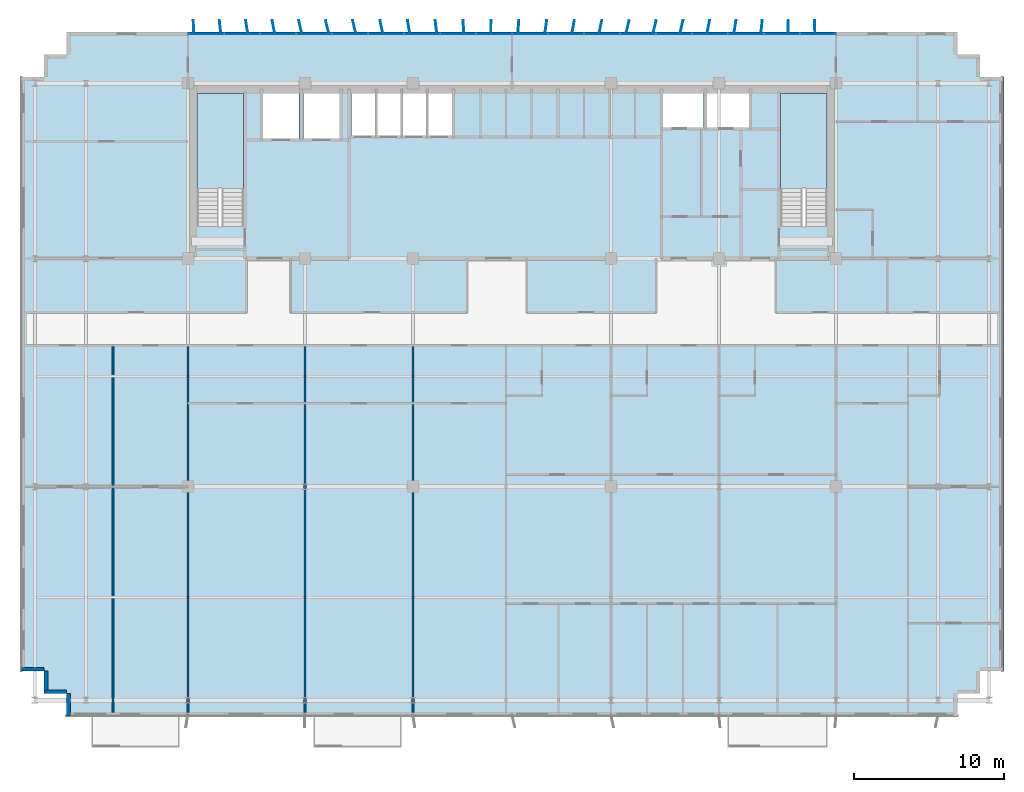
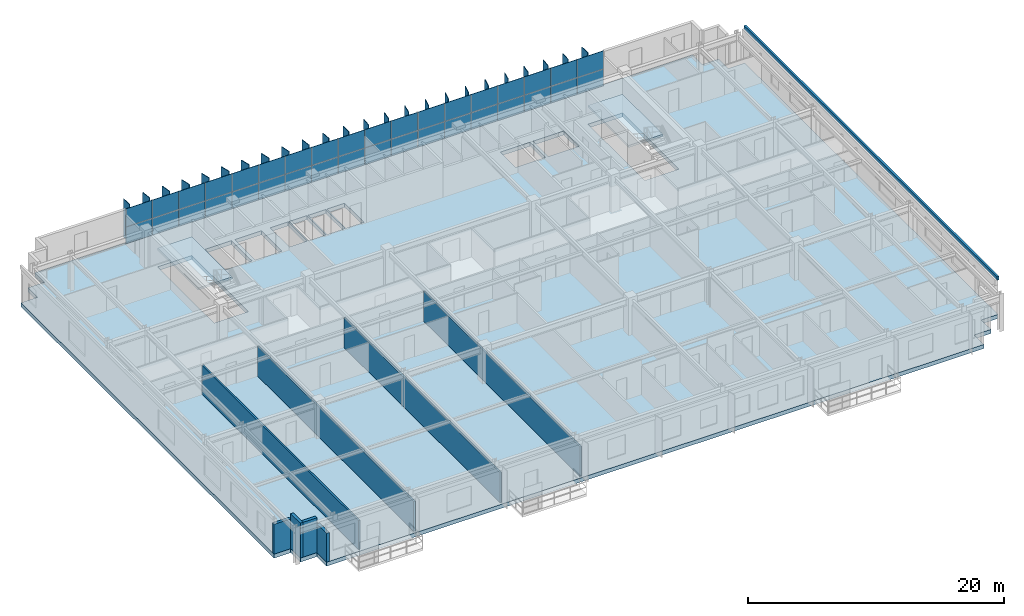
# One storey, part 13 of 22: 61 plates, 8 walls, 3 slabs, 3 elements without a shape of their own.
"""IFC4 building model written with IfcOpenShell, lengths in metres."""

import ifcopenshell
import ifcopenshell.guid

model = None  # the IFC model being written
_history = None  # IfcOwnerHistory: only IFC2X3 demands one
_inside = {}  # id of a spatial element -> (the spatial element, [elements in it])
_under = {}  # id of a project, library or spatial element -> (it, [spatial elements below it])
_declared = {}  # id of a project -> (the project, [libraries it declares])
_typed = {}  # id of a type object -> (the type object, [elements of that type])
_made_of = {}  # id of a material, layer set ... -> (it, [elements and type objects made of it])


def new_model(schema):
    """Start an empty IFC model of exactly this schema.

    Asked for "IFC4X3", IfcOpenShell would pick the latest addendum, in which some entities
    have other attributes; the version numbers below select the first issue.
    IFC2X3 requires an IfcOwnerHistory on every rooted entity: one is made here for all.
    """
    global model, _history
    if schema == "IFC4X3":
        model = ifcopenshell.file(schema_version=(4, 3, 0, 0))
    else:
        model = ifcopenshell.file(schema=schema)
    _inside.clear()
    _under.clear()
    _declared.clear()
    _typed.clear()
    _made_of.clear()
    _history = None
    if model.schema == "IFC2X3":
        org = make("IfcOrganization", Name="unknown")
        user = make(
            "IfcPersonAndOrganization",
            ThePerson=make("IfcPerson", FamilyName="unknown"),
            TheOrganization=org,
        )
        app = make(
            "IfcApplication",
            ApplicationDeveloper=org,
            Version="unknown",
            ApplicationFullName="unknown",
            ApplicationIdentifier="unknown",
        )
        _history = make(
            "IfcOwnerHistory",
            OwningUser=user,
            OwningApplication=app,
            ChangeAction="ADDED",
            CreationDate=0,
        )
    return model


def make(cls, **values):
    """One entity of the class cls with the attributes given. An attribute that is None is left unset."""
    return model.create_entity(
        cls, **{name: value for name, value in values.items() if value is not None}
    )


def rooted(cls, **values):
    """An entity with a GlobalId (a new one), such as an element, a storey or a relation."""
    return make(cls, GlobalId=ifcopenshell.guid.new(), OwnerHistory=_history, **values)


def si_unit(unit_type, name, prefix=None):
    """IfcSIUnit, for example si_unit("LENGTHUNIT", "METRE", prefix="MILLI")."""
    return make("IfcSIUnit", UnitType=unit_type, Prefix=prefix, Name=name)


def assignment(units):
    """IfcUnitAssignment: the units of a project."""
    return None if units is None else make("IfcUnitAssignment", Units=units)


def point(xyz):
    """IfcCartesianPoint."""
    return None if xyz is None else make("IfcCartesianPoint", Coordinates=xyz)


def direction(xyz):
    """IfcDirection."""
    return None if xyz is None else make("IfcDirection", DirectionRatios=xyz)


def frame(location, z_axis=None, x_axis=None):
    """IfcAxis2Placement3D, a coordinate frame: its origin and axes. An axis left out is left unset."""
    return make(
        "IfcAxis2Placement3D",
        Location=point(location),
        Axis=direction(z_axis),
        RefDirection=direction(x_axis),
    )


def frame_2d(location, x_axis=None):
    """IfcAxis2Placement2D, a coordinate frame in the plane: its origin and x axis."""
    return make(
        "IfcAxis2Placement2D", Location=point(location), RefDirection=direction(x_axis)
    )


def origin():
    """The frame at (0, 0, 0) with its axes left unset."""
    return frame((0.0, 0.0, 0.0))


def origin_2d():
    """The frame at (0, 0) in the plane with its x axis left unset."""
    return frame_2d((0.0, 0.0))


def place(relative_to, where):
    """IfcLocalPlacement: puts the frame where relative to a parent placement (None: the world)."""
    return make(
        "IfcLocalPlacement", PlacementRelTo=relative_to, RelativePlacement=where
    )


def context(
    kind, dimensions, precision=None, world=None, true_north=None, identifier=None
):
    """IfcGeometricRepresentationContext, for example the 3D "Model" context."""
    return make(
        "IfcGeometricRepresentationContext",
        ContextIdentifier=identifier,
        ContextType=kind,
        CoordinateSpaceDimension=dimensions,
        Precision=precision,
        WorldCoordinateSystem=world,
        TrueNorth=true_north,
    )


def subcontext(parent, identifier, kind, view, scale=None):
    """IfcGeometricRepresentationSubContext, for example "Body" below "Model"."""
    return make(
        "IfcGeometricRepresentationSubContext",
        ContextIdentifier=identifier,
        ContextType=kind,
        ParentContext=parent,
        TargetScale=scale,
        TargetView=view,
    )


def project(units=None, contexts=None):
    """IfcProject with its units and contexts."""
    return rooted(
        "IfcProject",
        Name="project",
        RepresentationContexts=contexts,
        UnitsInContext=assignment(units),
    )


def spatial(cls, under=None, at=None, **own):
    """A site, building, storey or space (cls), placed at a placement, below another one or the project."""
    s = rooted(cls, ObjectPlacement=at, **own)
    if under is not None:
        _under.setdefault(under.id(), (under, []))[1].append(s)
    return s


def polyline(points):
    """IfcPolyline through the points."""
    return make("IfcPolyline", Points=[point(p) for p in points])


def profile(cls, at=None, kind="AREA", **sizes):
    """A parametric profile (cls). Its sizes go by their IFC names, for example OverallWidth=200.0."""
    return make(cls, ProfileType=kind, Position=at, **sizes)


def rectangle(**sizes):
    """IfcRectangleProfileDef."""
    return profile("IfcRectangleProfileDef", **sizes)


def outline(outer, holes=None, kind="AREA"):
    """IfcArbitraryClosedProfileDef: a profile drawn as a closed curve; with holes, ...WithVoids."""
    if holes is None:
        return make("IfcArbitraryClosedProfileDef", ProfileType=kind, OuterCurve=outer)
    return make(
        "IfcArbitraryProfileDefWithVoids",
        ProfileType=kind,
        OuterCurve=outer,
        InnerCurves=holes,
    )


def extrude(swept, where, along, depth):
    """IfcExtrudedAreaSolid: the profile swept, set in the frame where, extruded along a direction by depth."""
    return make(
        "IfcExtrudedAreaSolid",
        SweptArea=swept,
        Position=where,
        ExtrudedDirection=direction(along),
        Depth=depth,
    )


def shape(context_of_items, identifier, shape_type, items):
    """IfcShapeRepresentation: the items that make up one representation, for example the "Body"."""
    return make(
        "IfcShapeRepresentation",
        ContextOfItems=context_of_items,
        RepresentationIdentifier=identifier,
        RepresentationType=shape_type,
        Items=items,
    )


def source(mapping_origin, context_of_items, identifier, shape_type, items):
    """IfcRepresentationMap: a shape defined once, which mapped items show again and again."""
    return make(
        "IfcRepresentationMap",
        MappingOrigin=mapping_origin,
        MappedRepresentation=shape(context_of_items, identifier, shape_type, items),
    )


def transform(
    local_origin,
    x_axis=None,
    y_axis=None,
    z_axis=None,
    scale=None,
    scale2=None,
    scale3=None,
    uniform=True,
):
    """IfcCartesianTransformationOperator3D, or its non-uniform kind. x_axis, y_axis, z_axis: its Axis1, 2, 3."""
    if uniform:
        return make(
            "IfcCartesianTransformationOperator3D",
            Axis1=direction(x_axis),
            Axis2=direction(y_axis),
            LocalOrigin=point(local_origin),
            Scale=scale,
            Axis3=direction(z_axis),
        )
    return make(
        "IfcCartesianTransformationOperator3DnonUniform",
        Axis1=direction(x_axis),
        Axis2=direction(y_axis),
        LocalOrigin=point(local_origin),
        Scale=scale,
        Axis3=direction(z_axis),
        Scale2=scale2,
        Scale3=scale3,
    )


def mapped(mapping_source, mapping_target):
    """IfcMappedItem: shows the shape of a source again, moved by a transform."""
    return make(
        "IfcMappedItem", MappingSource=mapping_source, MappingTarget=mapping_target
    )


def material(Name=None, Category=None):
    """IfcMaterial."""
    return make("IfcMaterial", Name=Name, Category=Category)


def layer(
    of_material, thickness, ventilated=None, Name=None, Category=None, Priority=None
):
    """IfcMaterialLayer: one layer of a wall or slab, of a material (None: an air gap)."""
    return make(
        "IfcMaterialLayer",
        Material=of_material,
        LayerThickness=thickness,
        IsVentilated=ventilated,
        Name=Name,
        Category=Category,
        Priority=Priority,
    )


def layer_set(layers, Name=None):
    """IfcMaterialLayerSet."""
    return make("IfcMaterialLayerSet", MaterialLayers=layers, LayerSetName=Name)


def made_of(thing, what):
    """Note that an element or type object is made of a material, layer set ...; save() writes the relation."""
    if what is not None:
        _made_of.setdefault(what.id(), (what, []))[1].append(thing)
    return thing


def type_object(cls, material=None, **own):
    """A type object (cls), such as IfcWallType, which elements share."""
    return made_of(rooted(cls, **own), material)


def element(
    cls,
    number,
    at=None,
    inside=None,
    cuts=None,
    type_object=None,
    material=None,
    context=None,
    identifier="Body",
    shape_type=None,
    held_by="IfcProductDefinitionShape",
    body=None,
    shapes=None,
    **own,
):
    """One element of the class cls, such as IfcWall. Its Tag is "e" and its number.

    at: its placement. inside: the storey or other place that contains it. cuts: it is an
    opening in that element (IfcRelVoidsElement). A single representation is given by context,
    identifier, shape_type and body (its items); several are given by shapes. held_by: the class
    of the entity that holds the representations. save() writes the other relations.
    """
    e = rooted(cls, Tag="e%d" % number, ObjectPlacement=at, **own)
    if body is not None:
        shapes = [shape(context, identifier, shape_type, body)]
    if shapes is not None:
        e.Representation = make(held_by, Representations=shapes)
    if inside is not None:
        _inside.setdefault(inside.id(), (inside, []))[1].append(e)
    if cuts is not None:
        rooted(
            "IfcRelVoidsElement", RelatingBuildingElement=cuts, RelatedOpeningElement=e
        )
    if type_object is not None:
        _typed.setdefault(type_object.id(), (type_object, []))[1].append(e)
    return made_of(e, material)


def aggregate(whole, parts):
    """IfcRelAggregates: a whole, such as a stair, and the parts it consists of."""
    return rooted("IfcRelAggregates", RelatingObject=whole, RelatedObjects=parts)


def save(model, path):
    """Write the relations noted so far, then the file.

    IfcRelAggregates (storeys below a building ...), IfcRelContainedInSpatialStructure (elements
    in a storey), IfcRelDefinesByType, IfcRelAssociatesMaterial and IfcRelDeclares: one each for
    every whole, place, type object, material and project.
    """
    for whole, parts in _under.values():
        aggregate(whole, parts)
    for where, things in _inside.values():
        rooted(
            "IfcRelContainedInSpatialStructure",
            RelatedElements=things,
            RelatingStructure=where,
        )
    for kind, things in _typed.values():
        rooted("IfcRelDefinesByType", RelatedObjects=things, RelatingType=kind)
    for what, things in _made_of.values():
        rooted("IfcRelAssociatesMaterial", RelatedObjects=things, RelatingMaterial=what)
    for by, libraries in _declared.values():
        rooted("IfcRelDeclares", RelatingContext=by, RelatedDefinitions=libraries)
    model.write(path)


model = new_model("IFC4")

# Units and contexts
model_context = context("Model", 3, precision=1e-05, world=origin(), true_north=direction((0.0, 1.0)))
body_context = subcontext(model_context, "Body", "Model", "MODEL_VIEW")
ifc_project = project(units=[si_unit("LENGTHUNIT", "METRE"), si_unit("AREAUNIT", "SQUARE_METRE"), si_unit("VOLUMEUNIT", "CUBIC_METRE"), si_unit("PLANEANGLEUNIT", "RADIAN"), si_unit("MASSUNIT", "GRAM", prefix="KILO")], contexts=[model_context])

# Site, building, storey
site_placement = place(None, origin())
site = spatial("IfcSite", under=ifc_project, at=site_placement, CompositionType="ELEMENT")
building_placement = place(site_placement, origin())
building = spatial("IfcBuilding", under=site, at=building_placement, Name="Trelvane Seafront Commons", CompositionType="ELEMENT")
storey_placement = place(building_placement, frame((0.0, 0.0, 81.699951171875)))
storey = spatial("IfcBuildingStorey", under=building, at=storey_placement, Name="L20", CompositionType="ELEMENT", Elevation=81.699951171875)

# Stair, slab
ifc_material_1 = material(Name="Concrete C40/50", Category="concrete")
stair_type_1 = type_object("IfcStairType", Name="ARCH-STR-ST-1-R20-180", PredefinedType="HALF_TURN_STAIR", material=ifc_material_1)
stair_1_placement = place(storey_placement, origin())
stair_1 = element("IfcStair", 1, at=stair_1_placement, inside=storey, type_object=stair_type_1, Name="L20 West Protected Firefighting Exit Stair ST-1", PredefinedType="HALF_TURN_STAIR")
ifc_layer_1 = layer(ifc_material_1, 0.199951171875, Name="ARCH-LND-200")
ifc_layer_set_1 = layer_set([ifc_layer_1], Name="Concrete C40/50")
slab_type_1 = type_object("IfcSlabType", Name="ARCH-LND-200", PredefinedType="LANDING", material=ifc_layer_set_1)
slab_1_placement = place(storey_placement, frame((0.0, 0.0, 1.60009765625)))
slab_1 = element("IfcSlab", 2, at=slab_1_placement, type_object=slab_type_1, Name="ST-1 landing 1", PredefinedType="LANDING", context=body_context, shape_type="SweptSolid", body=[
    extrude(outline(polyline([(19.300048828125, 38.070068359375), (19.300048828125, 44.39990234375), (16.199951171875, 44.39990234375), (16.199951171875, 38.070068359375), (19.300048828125, 38.070068359375)])), origin(), (0.0, 0.0, 1.0), 0.199951171875),
])
aggregate(stair_1, [slab_1])

stair_type_2 = type_object("IfcStairType", Name="ARCH-STR-ST-2-R20-180", PredefinedType="HALF_TURN_STAIR", material=ifc_material_1)
stair_2_placement = place(storey_placement, origin())
stair_2 = element("IfcStair", 3, at=stair_2_placement, inside=storey, type_object=stair_type_2, Name="L20 East Protected Firefighting Exit Stair ST-2", PredefinedType="HALF_TURN_STAIR")
slab_2_placement = place(storey_placement, frame((0.0, 0.0, 1.60009765625)))
slab_2 = element("IfcSlab", 4, at=slab_2_placement, type_object=slab_type_1, Name="ST-2 landing 1", PredefinedType="LANDING", context=body_context, shape_type="SweptSolid", body=[
    extrude(outline(polyline([(58.199951171875, 38.070068359375), (58.199951171875, 44.39990234375), (55.10009765625, 44.39990234375), (55.10009765625, 38.070068359375), (58.199951171875, 38.070068359375)])), origin(), (0.0, 0.0, 1.0), 0.199951171875),
])
aggregate(stair_2, [slab_2])

# Slab
ifc_material_2 = material(Name="Concrete C60/75", Category="concrete")
ifc_layer_2 = layer(ifc_material_2, 0.3798828125, Name="STR-SLB-T380")
ifc_layer_set_2 = layer_set([ifc_layer_2], Name="Concrete C60/75")
slab_type_2 = type_object("IfcSlabType", Name="STR-SLB-T380", PredefinedType="FLOOR", material=ifc_layer_set_2)
slab_3_placement = place(storey_placement, frame((0.0, 0.0, -0.3798828125)))
element("IfcSlab", 5, at=slab_3_placement, inside=storey, type_object=slab_type_2, Name="L20 Structural Floor Slab", PredefinedType="FLOOR", context=body_context, shape_type="SweptSolid", body=[
    extrude(outline(polyline([(7.5, 2.89990234375), (66.89990234375, 2.89990234375), (66.89990234375, 4.39990234375), (68.39990234375, 4.39990234375), (68.39990234375, 5.89990234375), (69.89990234375, 5.89990234375), (69.89990234375, 45.5), (68.39990234375, 45.5), (68.39990234375, 47.0), (66.89990234375, 47.0), (66.89990234375, 48.5), (7.5, 48.5), (7.5, 47.0), (6.0, 47.0), (6.0, 45.5), (4.5, 45.5), (4.5, 5.89990234375), (6.0, 5.89990234375), (6.0, 4.39990234375), (7.5, 4.39990234375), (7.5, 2.89990234375)]), holes=[polyline([(19.300048828125, 35.550048828125), (16.199951171875, 35.550048828125), (16.199951171875, 44.39990234375), (19.300048828125, 44.39990234375), (19.300048828125, 35.550048828125)]), polyline([(58.199951171875, 35.550048828125), (55.10009765625, 35.550048828125), (55.10009765625, 44.39990234375), (58.199951171875, 44.39990234375), (58.199951171875, 35.550048828125)]), polyline([(23.0, 41.39990234375), (20.60009765625, 41.39990234375), (20.60009765625, 44.60009765625), (23.0, 44.60009765625), (23.0, 41.39990234375)]), polyline([(23.300048828125, 41.39990234375), (23.300048828125, 44.60009765625), (25.699951171875, 44.60009765625), (25.699951171875, 41.39990234375), (23.300048828125, 41.39990234375)]), polyline([(26.5, 41.60009765625), (26.5, 44.60009765625), (28.1201171875, 44.60009765625), (28.1201171875, 41.60009765625), (26.5, 41.60009765625)]), polyline([(29.820068359375, 41.60009765625), (28.199951171875, 41.60009765625), (28.199951171875, 44.60009765625), (29.820068359375, 44.60009765625), (29.820068359375, 41.60009765625)]), polyline([(31.52001953125, 41.60009765625), (29.89990234375, 41.60009765625), (29.89990234375, 44.60009765625), (31.52001953125, 44.60009765625), (31.52001953125, 41.60009765625)]), polyline([(33.219970703125, 41.60009765625), (31.60009765625, 41.60009765625), (31.60009765625, 44.60009765625), (33.219970703125, 44.60009765625), (33.219970703125, 41.60009765625)]), polyline([(47.25, 42.14990234375), (47.25, 44.550048828125), (49.949951171875, 44.550048828125), (49.949951171875, 42.14990234375), (47.25, 42.14990234375)]), polyline([(50.199951171875, 42.14990234375), (50.199951171875, 44.550048828125), (53.0, 44.550048828125), (53.0, 42.14990234375), (50.199951171875, 42.14990234375)])]), origin(), (0.0, 0.0, 1.0), 0.3798828125),
])

# Plates
ifc_material_3 = material(Name="Anodised pale-silver aluminium", Category="aluminium")
ifc_layer_3 = layer(ifc_material_3, 0.06005859375, Name="ARCH-PLATE-FIN900")
ifc_layer_set_3 = layer_set([ifc_layer_3], Name="Anodised pale-silver aluminium")
plate_type_1 = type_object("IfcPlateType", Name="ARCH-PLATE-FIN900", PredefinedType="USERDEFINED", material=ifc_layer_set_3)
shared_shape_1 = source(origin(), body_context, "Body", "SweptSolid", [
    extrude(rectangle(XDim=0.89990234375, YDim=0.06005859375, at=origin_2d()), origin(), (0.0, 0.0, 1.0), 3.639892578125),
])
for number, where, z_axis, x_axis, name in (
    (6, (15.982666015625, 48.849609375, -0.02001953125), (0.0, 0.0, 1.0), (-0.038556980688, 0.999256403152, 0.0), "FIN-L20-00455"),
    (7, (17.754150390625, 48.84765625, -0.02001953125), (0.0, 0.0, 1.0), (-0.102000850047, 0.994784311592, 0.0), "FIN-L20-00456"),
    (8, (19.529052734375, 48.84423828125, -0.02001953125), (0.0, 0.0, 1.0), (-0.157673783475, 0.987491254647, 0.0), "FIN-L20-00457"),
    (9, (21.309326171875, 48.8408203125, -0.02001953125), (0.0, 0.0, 1.0), (-0.201219822587, 0.979546110705, 0.0), "FIN-L20-00458"),
    (10, (23.0966796875, 48.837890625, -0.02001953125), (0.0, 0.0, 1.0), (-0.229888374859, 0.973217003091, 0.0), "FIN-L20-00459"),
    (11, (24.89111328125, 48.836669921875, -0.02001953125), (0.0, 0.0, 1.0), (-0.24167294527, 0.970357762645, 0.0), "FIN-L20-00460"),
    (12, (26.69384765625, 48.83740234375, -0.02001953125), (0.0, 0.0, 1.0), (-0.235890152234, 0.97177972611, 0.0), "FIN-L20-00461"),
    (13, (28.504150390625, 48.839599609375, -0.02001953125), (0.0, 0.0, 1.0), (-0.212776294407, 0.977100940813, 0.0), "FIN-L20-00462"),
    (14, (30.32177734375, 48.843017578125, -0.02001953125), (0.0, 0.0, 1.0), (-0.173993648544, 0.984746774692, 0.0), "FIN-L20-00463"),
    (15, (32.14501953125, 48.8466796875, -0.02001953125), (0.0, 0.0, 1.0), (-0.122106667736, 0.992516983076, 0.0), "FIN-L20-00464"),
    (16, (33.97265625, 48.84912109375, -0.02001953125), (0.0, 0.0, 1.0), (-0.060780257958, 0.998151171037, 0.0), "FIN-L20-00465"),
    (17, (35.802490234375, 48.85009765625, -0.02001953125), (0.0, 0.0, 1.0), (0.005333700905, 0.999985775716, 0.0), "FIN-L20-00466"),
    (18, (37.632080078125, 48.848876953125, -0.02001953125), (0.0, 0.0, 1.0), (0.071003030598, 0.997476099787, 0.0), "FIN-L20-00467"),
    (19, (39.458984375, 48.84619140625, -0.02001953125), (0.0, 0.0, 1.0), (0.13111623469, 0.991367002175, 0.0), "FIN-L20-00468"),
    (20, (41.281494140625, 48.842529296875, -0.02001953125), (0.0, 0.0, 1.0), (0.181221211526, 0.983442358501, 0.0), "FIN-L20-00469"),
    (21, (43.097900390625, 48.839111328125, -0.02001953125), (0.0, 0.0, 1.0), (0.217565785879, 0.976045659185, 0.0), "FIN-L20-00470"),
    (22, (44.906982421875, 48.8369140625, -0.02001953125), (0.0, 0.0, 1.0), (0.238009683654, 0.971262781376, 0.0), "FIN-L20-00471"),
    (23, (46.70849609375, 48.836669921875, -0.02001953125), (0.0, 0.0, 1.0), (0.240992061138, 0.970527086932, 0.0), "FIN-L20-00472"),
    (24, (48.501953125, 48.83837890625, -0.02001953125), (0.0, 0.0, 1.0), (0.226449013409, 0.974023020429, 0.0), "FIN-L20-00473"),
    (25, (50.287841796875, 48.84130859375, -0.02001953125), (0.0, 0.0, 1.0), (0.195218704837, 0.980759734737, 0.0), "FIN-L20-00474"),
    (26, (52.0673828125, 48.844970703125, -0.02001953125), (0.0, 0.0, 1.0), (0.149443880416, 0.988770209202, 0.0), "FIN-L20-00475"),
    (27, (53.841552734375, 48.84814453125, -0.02001953125), (0.0, 0.0, 1.0), (0.092328878547, 0.995728566521, 0.0), "FIN-L20-00476"),
    (28, (55.612548828125, 48.849853515625, -0.02001953125), (0.0, 0.0, 1.0), (0.028001892477, 0.999607870126, 0.0), "FIN-L20-00477"),
    (29, (57.382568359375, 48.849609375, -0.02001953125), (0.0, 0.0, 1.0), (-0.038556980688, 0.999256403152, 0.0), "FIN-L20-00478"),
):
    element("IfcPlate", number, at=place(storey_placement, frame(where, z_axis=z_axis, x_axis=x_axis)), inside=storey, type_object=plate_type_1, Name=name, ObjectType="FIN", PredefinedType="USERDEFINED", context=body_context, shape_type="MappedRepresentation", body=[
        mapped(shared_shape_1, transform((0.0, 0.0, 0.0), x_axis=(1.0, 0.0, 0.0), y_axis=(0.0, 1.0, 0.0), z_axis=(0.0, 0.0, 1.0), scale=1.0)),
    ])
ifc_layer_4 = layer(ifc_material_3, 0.179931640625, Name="ARCH-PLATE-AERO")
ifc_layer_set_4 = layer_set([ifc_layer_4], Name="Anodised pale-silver aluminium")
plate_type_2 = type_object("IfcPlateType", Name="ARCH-PLATE-AERO", PredefinedType="SHEET", material=ifc_layer_set_4)
shared_shape_2 = source(origin(), body_context, "Body", "SweptSolid", [
    extrude(rectangle(XDim=39.60009765625, YDim=0.179931640625, at=origin_2d()), origin(), (0.0, 0.0, 1.0), 0.340087890625),
])
plate_1_placement = place(storey_placement, frame((69.89990234375, 25.699951171875, 3.27978515625), z_axis=(0.0, 0.0, 1.0), x_axis=(0.0, -1.0, 0.0)))
element("IfcPlate", 30, at=plate_1_placement, inside=storey, type_object=plate_type_2, Name="AER-L20-00070", PredefinedType="SHEET", context=body_context, shape_type="MappedRepresentation", body=[
    mapped(shared_shape_2, transform((0.0, 0.0, 0.0), x_axis=(1.0, 0.0, 0.0), y_axis=(0.0, 1.0, 0.0), z_axis=(0.0, 0.0, 1.0), scale=1.0)),
])

# Curtain wall, plates
curtain_wall_type = type_object("IfcCurtainWallType", Name="ARCH-CW4-SKYLOBBY", PredefinedType="NOTDEFINED", material=ifc_material_3)
curtain_wall_placement = place(storey_placement, origin())
curtain_wall = element("IfcCurtainWall", 31, at=curtain_wall_placement, inside=storey, type_object=curtain_wall_type, Name="CW-L20-0045", PredefinedType="NOTDEFINED")
ifc_material_4 = material(Name="Low-E coastal double glazing", Category="glass")
ifc_layer_5 = layer(ifc_material_4, 0.033935546875, Name="ARCH-CW-GLAZ-34")
ifc_layer_set_5 = layer_set([ifc_layer_5], Name="Low-E coastal double glazing")
plate_type_3 = type_object("IfcPlateType", Name="ARCH-CW-GLAZ-34", PredefinedType="CURTAIN_PANEL", material=ifc_layer_set_5)
shared_shape_3 = source(origin(), body_context, "Body", "SweptSolid", [
    extrude(rectangle(XDim=2.3759765625, YDim=0.0400390625, at=origin_2d()), origin(), (0.0, 0.0, 1.0), 1.5849609375),
])
plate_2_placement = place(storey_placement, frame((16.800048828125, 48.3701171875, 0.0), z_axis=(0.0, 0.0, 1.0), x_axis=(1.0, 0.0, 0.0)))
plate_2 = element("IfcPlate", 32, at=plate_2_placement, type_object=plate_type_3, Name="CW-L20-0045-P00-1", PredefinedType="CURTAIN_PANEL", context=body_context, shape_type="MappedRepresentation", body=[
    mapped(shared_shape_3, transform((0.0, 0.0, 0.0), x_axis=(1.0, 0.0, 0.0), y_axis=(0.0, 1.0, 0.0), z_axis=(0.0, 0.0, 1.0), scale=1.0)),
])
plate_3_placement = place(storey_placement, frame((19.199951171875, 48.3701171875, 0.0), z_axis=(0.0, 0.0, 1.0), x_axis=(1.0, 0.0, 0.0)))
plate_3 = element("IfcPlate", 33, at=plate_3_placement, type_object=plate_type_3, Name="CW-L20-0045-P01-1", PredefinedType="CURTAIN_PANEL", context=body_context, shape_type="MappedRepresentation", body=[
    mapped(shared_shape_3, transform((0.0, 0.0, 0.0), x_axis=(1.0, 0.0, 0.0), y_axis=(0.0, 1.0, 0.0), z_axis=(0.0, 0.0, 1.0), scale=1.0)),
])
plate_4_placement = place(storey_placement, frame((21.60009765625, 48.3701171875, 0.0), z_axis=(0.0, 0.0, 1.0), x_axis=(1.0, 0.0, 0.0)))
plate_4 = element("IfcPlate", 34, at=plate_4_placement, type_object=plate_type_3, Name="CW-L20-0045-P02-1", PredefinedType="CURTAIN_PANEL", context=body_context, shape_type="MappedRepresentation", body=[
    mapped(shared_shape_3, transform((0.0, 0.0, 0.0), x_axis=(1.0, 0.0, 0.0), y_axis=(0.0, 1.0, 0.0), z_axis=(0.0, 0.0, 1.0), scale=1.0)),
])
plate_5_placement = place(storey_placement, frame((24.0, 48.3701171875, 0.0), z_axis=(0.0, 0.0, 1.0), x_axis=(1.0, 0.0, 0.0)))
plate_5 = element("IfcPlate", 35, at=plate_5_placement, type_object=plate_type_3, Name="CW-L20-0045-P03-1", PredefinedType="CURTAIN_PANEL", context=body_context, shape_type="MappedRepresentation", body=[
    mapped(shared_shape_3, transform((0.0, 0.0, 0.0), x_axis=(1.0, 0.0, 0.0), y_axis=(0.0, 1.0, 0.0), z_axis=(0.0, 0.0, 1.0), scale=1.0)),
])
plate_6_placement = place(storey_placement, frame((26.39990234375, 48.3701171875, 0.0), z_axis=(0.0, 0.0, 1.0), x_axis=(1.0, 0.0, 0.0)))
plate_6 = element("IfcPlate", 36, at=plate_6_placement, type_object=plate_type_3, Name="CW-L20-0045-P04-1", PredefinedType="CURTAIN_PANEL", context=body_context, shape_type="MappedRepresentation", body=[
    mapped(shared_shape_3, transform((0.0, 0.0, 0.0), x_axis=(1.0, 0.0, 0.0), y_axis=(0.0, 1.0, 0.0), z_axis=(0.0, 0.0, 1.0), scale=1.0)),
])
plate_7_placement = place(storey_placement, frame((28.800048828125, 48.3701171875, 0.0), z_axis=(0.0, 0.0, 1.0), x_axis=(1.0, 0.0, 0.0)))
plate_7 = element("IfcPlate", 37, at=plate_7_placement, type_object=plate_type_3, Name="CW-L20-0045-P05-1", PredefinedType="CURTAIN_PANEL", context=body_context, shape_type="MappedRepresentation", body=[
    mapped(shared_shape_3, transform((0.0, 0.0, 0.0), x_axis=(1.0, 0.0, 0.0), y_axis=(0.0, 1.0, 0.0), z_axis=(0.0, 0.0, 1.0), scale=1.0)),
])
plate_8_placement = place(storey_placement, frame((31.199951171875, 48.3701171875, 0.0), z_axis=(0.0, 0.0, 1.0), x_axis=(1.0, 0.0, 0.0)))
plate_8 = element("IfcPlate", 38, at=plate_8_placement, type_object=plate_type_3, Name="CW-L20-0045-P06-1", PredefinedType="CURTAIN_PANEL", context=body_context, shape_type="MappedRepresentation", body=[
    mapped(shared_shape_3, transform((0.0, 0.0, 0.0), x_axis=(1.0, 0.0, 0.0), y_axis=(0.0, 1.0, 0.0), z_axis=(0.0, 0.0, 1.0), scale=1.0)),
])
plate_9_placement = place(storey_placement, frame((33.60009765625, 48.3701171875, 0.0), z_axis=(0.0, 0.0, 1.0), x_axis=(1.0, 0.0, 0.0)))
plate_9 = element("IfcPlate", 39, at=plate_9_placement, type_object=plate_type_3, Name="CW-L20-0045-P07-1", PredefinedType="CURTAIN_PANEL", context=body_context, shape_type="MappedRepresentation", body=[
    mapped(shared_shape_3, transform((0.0, 0.0, 0.0), x_axis=(1.0, 0.0, 0.0), y_axis=(0.0, 1.0, 0.0), z_axis=(0.0, 0.0, 1.0), scale=1.0)),
])
plate_10_placement = place(storey_placement, frame((36.0, 48.3701171875, 0.0), z_axis=(0.0, 0.0, 1.0), x_axis=(1.0, 0.0, 0.0)))
plate_10 = element("IfcPlate", 40, at=plate_10_placement, type_object=plate_type_3, Name="CW-L20-0045-P08-1", PredefinedType="CURTAIN_PANEL", context=body_context, shape_type="MappedRepresentation", body=[
    mapped(shared_shape_3, transform((0.0, 0.0, 0.0), x_axis=(1.0, 0.0, 0.0), y_axis=(0.0, 1.0, 0.0), z_axis=(0.0, 0.0, 1.0), scale=1.0)),
])
plate_11_placement = place(storey_placement, frame((38.39990234375, 48.3701171875, 0.0), z_axis=(0.0, 0.0, 1.0), x_axis=(1.0, 0.0, 0.0)))
plate_11 = element("IfcPlate", 41, at=plate_11_placement, type_object=plate_type_3, Name="CW-L20-0045-P09-1", PredefinedType="CURTAIN_PANEL", context=body_context, shape_type="MappedRepresentation", body=[
    mapped(shared_shape_3, transform((0.0, 0.0, 0.0), x_axis=(1.0, 0.0, 0.0), y_axis=(0.0, 1.0, 0.0), z_axis=(0.0, 0.0, 1.0), scale=1.0)),
])
plate_12_placement = place(storey_placement, frame((40.800048828125, 48.3701171875, 0.0), z_axis=(0.0, 0.0, 1.0), x_axis=(1.0, 0.0, 0.0)))
plate_12 = element("IfcPlate", 42, at=plate_12_placement, type_object=plate_type_3, Name="CW-L20-0045-P10-1", PredefinedType="CURTAIN_PANEL", context=body_context, shape_type="MappedRepresentation", body=[
    mapped(shared_shape_3, transform((0.0, 0.0, 0.0), x_axis=(1.0, 0.0, 0.0), y_axis=(0.0, 1.0, 0.0), z_axis=(0.0, 0.0, 1.0), scale=1.0)),
])
plate_13_placement = place(storey_placement, frame((43.199951171875, 48.3701171875, 0.0), z_axis=(0.0, 0.0, 1.0), x_axis=(1.0, 0.0, 0.0)))
plate_13 = element("IfcPlate", 43, at=plate_13_placement, type_object=plate_type_3, Name="CW-L20-0045-P11-1", PredefinedType="CURTAIN_PANEL", context=body_context, shape_type="MappedRepresentation", body=[
    mapped(shared_shape_3, transform((0.0, 0.0, 0.0), x_axis=(1.0, 0.0, 0.0), y_axis=(0.0, 1.0, 0.0), z_axis=(0.0, 0.0, 1.0), scale=1.0)),
])
plate_14_placement = place(storey_placement, frame((45.60009765625, 48.3701171875, 0.0), z_axis=(0.0, 0.0, 1.0), x_axis=(1.0, 0.0, 0.0)))
plate_14 = element("IfcPlate", 44, at=plate_14_placement, type_object=plate_type_3, Name="CW-L20-0045-P12-1", PredefinedType="CURTAIN_PANEL", context=body_context, shape_type="MappedRepresentation", body=[
    mapped(shared_shape_3, transform((0.0, 0.0, 0.0), x_axis=(1.0, 0.0, 0.0), y_axis=(0.0, 1.0, 0.0), z_axis=(0.0, 0.0, 1.0), scale=1.0)),
])
plate_15_placement = place(storey_placement, frame((48.0, 48.3701171875, 0.0), z_axis=(0.0, 0.0, 1.0), x_axis=(1.0, 0.0, 0.0)))
plate_15 = element("IfcPlate", 45, at=plate_15_placement, type_object=plate_type_3, Name="CW-L20-0045-P13-1", PredefinedType="CURTAIN_PANEL", context=body_context, shape_type="MappedRepresentation", body=[
    mapped(shared_shape_3, transform((0.0, 0.0, 0.0), x_axis=(1.0, 0.0, 0.0), y_axis=(0.0, 1.0, 0.0), z_axis=(0.0, 0.0, 1.0), scale=1.0)),
])
plate_16_placement = place(storey_placement, frame((50.39990234375, 48.3701171875, 0.0), z_axis=(0.0, 0.0, 1.0), x_axis=(1.0, 0.0, 0.0)))
plate_16 = element("IfcPlate", 46, at=plate_16_placement, type_object=plate_type_3, Name="CW-L20-0045-P14-1", PredefinedType="CURTAIN_PANEL", context=body_context, shape_type="MappedRepresentation", body=[
    mapped(shared_shape_3, transform((0.0, 0.0, 0.0), x_axis=(1.0, 0.0, 0.0), y_axis=(0.0, 1.0, 0.0), z_axis=(0.0, 0.0, 1.0), scale=1.0)),
])
plate_17_placement = place(storey_placement, frame((52.800048828125, 48.3701171875, 0.0), z_axis=(0.0, 0.0, 1.0), x_axis=(1.0, 0.0, 0.0)))
plate_17 = element("IfcPlate", 47, at=plate_17_placement, type_object=plate_type_3, Name="CW-L20-0045-P15-1", PredefinedType="CURTAIN_PANEL", context=body_context, shape_type="MappedRepresentation", body=[
    mapped(shared_shape_3, transform((0.0, 0.0, 0.0), x_axis=(1.0, 0.0, 0.0), y_axis=(0.0, 1.0, 0.0), z_axis=(0.0, 0.0, 1.0), scale=1.0)),
])
plate_18_placement = place(storey_placement, frame((55.199951171875, 48.3701171875, 0.0), z_axis=(0.0, 0.0, 1.0), x_axis=(1.0, 0.0, 0.0)))
plate_18 = element("IfcPlate", 48, at=plate_18_placement, type_object=plate_type_3, Name="CW-L20-0045-P16-1", PredefinedType="CURTAIN_PANEL", context=body_context, shape_type="MappedRepresentation", body=[
    mapped(shared_shape_3, transform((0.0, 0.0, 0.0), x_axis=(1.0, 0.0, 0.0), y_axis=(0.0, 1.0, 0.0), z_axis=(0.0, 0.0, 1.0), scale=1.0)),
])
plate_19_placement = place(storey_placement, frame((57.60009765625, 48.3701171875, 0.0), z_axis=(0.0, 0.0, 1.0), x_axis=(1.0, 0.0, 0.0)))
plate_19 = element("IfcPlate", 49, at=plate_19_placement, type_object=plate_type_3, Name="CW-L20-0045-P17-1", PredefinedType="CURTAIN_PANEL", context=body_context, shape_type="MappedRepresentation", body=[
    mapped(shared_shape_3, transform((0.0, 0.0, 0.0), x_axis=(1.0, 0.0, 0.0), y_axis=(0.0, 1.0, 0.0), z_axis=(0.0, 0.0, 1.0), scale=1.0)),
])
shared_shape_4 = source(origin(), body_context, "Body", "SweptSolid", [
    extrude(rectangle(XDim=2.3759765625, YDim=0.0400390625, at=origin_2d()), origin(), (0.0, 0.0, 1.0), 1.718994140625),
])
plate_20_placement = place(storey_placement, frame((16.800048828125, 48.3701171875, 1.62109375), z_axis=(0.0, 0.0, 1.0), x_axis=(1.0, 0.0, 0.0)))
plate_20 = element("IfcPlate", 50, at=plate_20_placement, type_object=plate_type_3, Name="CW-L20-0045-P00-2", PredefinedType="CURTAIN_PANEL", context=body_context, shape_type="MappedRepresentation", body=[
    mapped(shared_shape_4, transform((0.0, 0.0, 0.0), x_axis=(1.0, 0.0, 0.0), y_axis=(0.0, 1.0, 0.0), z_axis=(0.0, 0.0, 1.0), scale=1.0)),
])
plate_21_placement = place(storey_placement, frame((19.199951171875, 48.3701171875, 1.62109375), z_axis=(0.0, 0.0, 1.0), x_axis=(1.0, 0.0, 0.0)))
plate_21 = element("IfcPlate", 51, at=plate_21_placement, type_object=plate_type_3, Name="CW-L20-0045-P01-2", PredefinedType="CURTAIN_PANEL", context=body_context, shape_type="MappedRepresentation", body=[
    mapped(shared_shape_4, transform((0.0, 0.0, 0.0), x_axis=(1.0, 0.0, 0.0), y_axis=(0.0, 1.0, 0.0), z_axis=(0.0, 0.0, 1.0), scale=1.0)),
])
plate_22_placement = place(storey_placement, frame((21.60009765625, 48.3701171875, 1.62109375), z_axis=(0.0, 0.0, 1.0), x_axis=(1.0, 0.0, 0.0)))
plate_22 = element("IfcPlate", 52, at=plate_22_placement, type_object=plate_type_3, Name="CW-L20-0045-P02-2", PredefinedType="CURTAIN_PANEL", context=body_context, shape_type="MappedRepresentation", body=[
    mapped(shared_shape_4, transform((0.0, 0.0, 0.0), x_axis=(1.0, 0.0, 0.0), y_axis=(0.0, 1.0, 0.0), z_axis=(0.0, 0.0, 1.0), scale=1.0)),
])
plate_23_placement = place(storey_placement, frame((24.0, 48.3701171875, 1.62109375), z_axis=(0.0, 0.0, 1.0), x_axis=(1.0, 0.0, 0.0)))
plate_23 = element("IfcPlate", 53, at=plate_23_placement, type_object=plate_type_3, Name="CW-L20-0045-P03-2", PredefinedType="CURTAIN_PANEL", context=body_context, shape_type="MappedRepresentation", body=[
    mapped(shared_shape_4, transform((0.0, 0.0, 0.0), x_axis=(1.0, 0.0, 0.0), y_axis=(0.0, 1.0, 0.0), z_axis=(0.0, 0.0, 1.0), scale=1.0)),
])
plate_24_placement = place(storey_placement, frame((26.39990234375, 48.3701171875, 1.62109375), z_axis=(0.0, 0.0, 1.0), x_axis=(1.0, 0.0, 0.0)))
plate_24 = element("IfcPlate", 54, at=plate_24_placement, type_object=plate_type_3, Name="CW-L20-0045-P04-2", PredefinedType="CURTAIN_PANEL", context=body_context, shape_type="MappedRepresentation", body=[
    mapped(shared_shape_4, transform((0.0, 0.0, 0.0), x_axis=(1.0, 0.0, 0.0), y_axis=(0.0, 1.0, 0.0), z_axis=(0.0, 0.0, 1.0), scale=1.0)),
])
plate_25_placement = place(storey_placement, frame((28.800048828125, 48.3701171875, 1.62109375), z_axis=(0.0, 0.0, 1.0), x_axis=(1.0, 0.0, 0.0)))
plate_25 = element("IfcPlate", 55, at=plate_25_placement, type_object=plate_type_3, Name="CW-L20-0045-P05-2", PredefinedType="CURTAIN_PANEL", context=body_context, shape_type="MappedRepresentation", body=[
    mapped(shared_shape_4, transform((0.0, 0.0, 0.0), x_axis=(1.0, 0.0, 0.0), y_axis=(0.0, 1.0, 0.0), z_axis=(0.0, 0.0, 1.0), scale=1.0)),
])
plate_26_placement = place(storey_placement, frame((31.199951171875, 48.3701171875, 1.62109375), z_axis=(0.0, 0.0, 1.0), x_axis=(1.0, 0.0, 0.0)))
plate_26 = element("IfcPlate", 56, at=plate_26_placement, type_object=plate_type_3, Name="CW-L20-0045-P06-2", PredefinedType="CURTAIN_PANEL", context=body_context, shape_type="MappedRepresentation", body=[
    mapped(shared_shape_4, transform((0.0, 0.0, 0.0), x_axis=(1.0, 0.0, 0.0), y_axis=(0.0, 1.0, 0.0), z_axis=(0.0, 0.0, 1.0), scale=1.0)),
])
plate_27_placement = place(storey_placement, frame((33.60009765625, 48.3701171875, 1.62109375), z_axis=(0.0, 0.0, 1.0), x_axis=(1.0, 0.0, 0.0)))
plate_27 = element("IfcPlate", 57, at=plate_27_placement, type_object=plate_type_3, Name="CW-L20-0045-P07-2", PredefinedType="CURTAIN_PANEL", context=body_context, shape_type="MappedRepresentation", body=[
    mapped(shared_shape_4, transform((0.0, 0.0, 0.0), x_axis=(1.0, 0.0, 0.0), y_axis=(0.0, 1.0, 0.0), z_axis=(0.0, 0.0, 1.0), scale=1.0)),
])
plate_28_placement = place(storey_placement, frame((36.0, 48.3701171875, 1.62109375), z_axis=(0.0, 0.0, 1.0), x_axis=(1.0, 0.0, 0.0)))
plate_28 = element("IfcPlate", 58, at=plate_28_placement, type_object=plate_type_3, Name="CW-L20-0045-P08-2", PredefinedType="CURTAIN_PANEL", context=body_context, shape_type="MappedRepresentation", body=[
    mapped(shared_shape_4, transform((0.0, 0.0, 0.0), x_axis=(1.0, 0.0, 0.0), y_axis=(0.0, 1.0, 0.0), z_axis=(0.0, 0.0, 1.0), scale=1.0)),
])
plate_29_placement = place(storey_placement, frame((38.39990234375, 48.3701171875, 1.62109375), z_axis=(0.0, 0.0, 1.0), x_axis=(1.0, 0.0, 0.0)))
plate_29 = element("IfcPlate", 59, at=plate_29_placement, type_object=plate_type_3, Name="CW-L20-0045-P09-2", PredefinedType="CURTAIN_PANEL", context=body_context, shape_type="MappedRepresentation", body=[
    mapped(shared_shape_4, transform((0.0, 0.0, 0.0), x_axis=(1.0, 0.0, 0.0), y_axis=(0.0, 1.0, 0.0), z_axis=(0.0, 0.0, 1.0), scale=1.0)),
])
plate_30_placement = place(storey_placement, frame((40.800048828125, 48.3701171875, 1.62109375), z_axis=(0.0, 0.0, 1.0), x_axis=(1.0, 0.0, 0.0)))
plate_30 = element("IfcPlate", 60, at=plate_30_placement, type_object=plate_type_3, Name="CW-L20-0045-P10-2", PredefinedType="CURTAIN_PANEL", context=body_context, shape_type="MappedRepresentation", body=[
    mapped(shared_shape_4, transform((0.0, 0.0, 0.0), x_axis=(1.0, 0.0, 0.0), y_axis=(0.0, 1.0, 0.0), z_axis=(0.0, 0.0, 1.0), scale=1.0)),
])
plate_31_placement = place(storey_placement, frame((43.199951171875, 48.3701171875, 1.62109375), z_axis=(0.0, 0.0, 1.0), x_axis=(1.0, 0.0, 0.0)))
plate_31 = element("IfcPlate", 61, at=plate_31_placement, type_object=plate_type_3, Name="CW-L20-0045-P11-2", PredefinedType="CURTAIN_PANEL", context=body_context, shape_type="MappedRepresentation", body=[
    mapped(shared_shape_4, transform((0.0, 0.0, 0.0), x_axis=(1.0, 0.0, 0.0), y_axis=(0.0, 1.0, 0.0), z_axis=(0.0, 0.0, 1.0), scale=1.0)),
])
plate_32_placement = place(storey_placement, frame((45.60009765625, 48.3701171875, 1.62109375), z_axis=(0.0, 0.0, 1.0), x_axis=(1.0, 0.0, 0.0)))
plate_32 = element("IfcPlate", 62, at=plate_32_placement, type_object=plate_type_3, Name="CW-L20-0045-P12-2", PredefinedType="CURTAIN_PANEL", context=body_context, shape_type="MappedRepresentation", body=[
    mapped(shared_shape_4, transform((0.0, 0.0, 0.0), x_axis=(1.0, 0.0, 0.0), y_axis=(0.0, 1.0, 0.0), z_axis=(0.0, 0.0, 1.0), scale=1.0)),
])
plate_33_placement = place(storey_placement, frame((48.0, 48.3701171875, 1.62109375), z_axis=(0.0, 0.0, 1.0), x_axis=(1.0, 0.0, 0.0)))
plate_33 = element("IfcPlate", 63, at=plate_33_placement, type_object=plate_type_3, Name="CW-L20-0045-P13-2", PredefinedType="CURTAIN_PANEL", context=body_context, shape_type="MappedRepresentation", body=[
    mapped(shared_shape_4, transform((0.0, 0.0, 0.0), x_axis=(1.0, 0.0, 0.0), y_axis=(0.0, 1.0, 0.0), z_axis=(0.0, 0.0, 1.0), scale=1.0)),
])
plate_34_placement = place(storey_placement, frame((50.39990234375, 48.3701171875, 1.62109375), z_axis=(0.0, 0.0, 1.0), x_axis=(1.0, 0.0, 0.0)))
plate_34 = element("IfcPlate", 64, at=plate_34_placement, type_object=plate_type_3, Name="CW-L20-0045-P14-2", PredefinedType="CURTAIN_PANEL", context=body_context, shape_type="MappedRepresentation", body=[
    mapped(shared_shape_4, transform((0.0, 0.0, 0.0), x_axis=(1.0, 0.0, 0.0), y_axis=(0.0, 1.0, 0.0), z_axis=(0.0, 0.0, 1.0), scale=1.0)),
])
plate_35_placement = place(storey_placement, frame((52.800048828125, 48.3701171875, 1.62109375), z_axis=(0.0, 0.0, 1.0), x_axis=(1.0, 0.0, 0.0)))
plate_35 = element("IfcPlate", 65, at=plate_35_placement, type_object=plate_type_3, Name="CW-L20-0045-P15-2", PredefinedType="CURTAIN_PANEL", context=body_context, shape_type="MappedRepresentation", body=[
    mapped(shared_shape_4, transform((0.0, 0.0, 0.0), x_axis=(1.0, 0.0, 0.0), y_axis=(0.0, 1.0, 0.0), z_axis=(0.0, 0.0, 1.0), scale=1.0)),
])
plate_36_placement = place(storey_placement, frame((55.199951171875, 48.3701171875, 1.62109375), z_axis=(0.0, 0.0, 1.0), x_axis=(1.0, 0.0, 0.0)))
plate_36 = element("IfcPlate", 66, at=plate_36_placement, type_object=plate_type_3, Name="CW-L20-0045-P16-2", PredefinedType="CURTAIN_PANEL", context=body_context, shape_type="MappedRepresentation", body=[
    mapped(shared_shape_4, transform((0.0, 0.0, 0.0), x_axis=(1.0, 0.0, 0.0), y_axis=(0.0, 1.0, 0.0), z_axis=(0.0, 0.0, 1.0), scale=1.0)),
])
plate_37_placement = place(storey_placement, frame((57.60009765625, 48.3701171875, 1.62109375), z_axis=(0.0, 0.0, 1.0), x_axis=(1.0, 0.0, 0.0)))
plate_37 = element("IfcPlate", 67, at=plate_37_placement, type_object=plate_type_3, Name="CW-L20-0045-P17-2", PredefinedType="CURTAIN_PANEL", context=body_context, shape_type="MappedRepresentation", body=[
    mapped(shared_shape_4, transform((0.0, 0.0, 0.0), x_axis=(1.0, 0.0, 0.0), y_axis=(0.0, 1.0, 0.0), z_axis=(0.0, 0.0, 1.0), scale=1.0)),
])
aggregate(curtain_wall, [plate_2, plate_20, plate_3, plate_21, plate_4, plate_22, plate_5, plate_23, plate_6, plate_24, plate_7, plate_25, plate_8, plate_26, plate_9, plate_27, plate_10, plate_28, plate_11, plate_29, plate_12, plate_30, plate_13, plate_31, plate_14, plate_32, plate_15, plate_33, plate_16, plate_34, plate_17, plate_35, plate_18, plate_36, plate_19, plate_37])

# Walls
ifc_material_5 = material(Name="Precast concrete C40/50", Category="concrete")
ifc_layer_6 = layer(ifc_material_5, 0.260009765625, Name="ARCH-WALL-EXT260")
ifc_layer_set_6 = layer_set([ifc_layer_6], Name="Precast concrete C40/50")
wall_type_1 = type_object("IfcWallType", Name="ARCH-WALL-EXT260", PredefinedType="SOLIDWALL", material=ifc_layer_set_6)
for number, where, z_axis, x_axis, name in (
    (68, (7.5, 4.530029296875, 0.0), (0.0, 0.0, 1.0), (-1.0, 0.0, 0.0), "EW-L20-00351"),
    (69, (6.1298828125, 4.39990234375, 0.0), (0.0, 0.0, 1.0), (0.0, 1.0, 0.0), "EW-L20-00352"),
):
    element("IfcWall", number, at=place(storey_placement, frame(where, z_axis=z_axis, x_axis=x_axis)), inside=storey, type_object=wall_type_1, Name=name, PredefinedType="SOLIDWALL", context=body_context, shape_type="SweptSolid", body=[
        extrude(rectangle(XDim=1.5, YDim=0.260009765625, at=frame_2d((0.75, 0.0))), origin(), (0.0, 0.0, 1.0), 3.340087890625),
    ])
wall_1_placement = place(storey_placement, frame((6.0, 6.030029296875, 0.0), z_axis=(0.0, 0.0, 1.0), x_axis=(-1.0, 0.0, 0.0)))
element("IfcWall", 70, at=wall_1_placement, inside=storey, type_object=wall_type_1, Name="EW-L20-00353", PredefinedType="SOLIDWALL", context=body_context, shape_type="SweptSolid", body=[
    extrude(rectangle(XDim=1.5, YDim=0.260009765625, at=frame_2d((0.75, 0.0))), origin(), (0.0, 0.0, 1.0), 2.840087890625),
])
wall_2_placement = place(storey_placement, frame((7.6298828125, 2.89990234375, 0.0), z_axis=(0.0, 0.0, 1.0), x_axis=(0.0, 1.0, 0.0)))
element("IfcWall", 71, at=wall_2_placement, inside=storey, type_object=wall_type_1, Name="EW-L20-00369", PredefinedType="SOLIDWALL", context=body_context, shape_type="SweptSolid", body=[
    extrude(rectangle(XDim=1.5, YDim=0.260009765625, at=frame_2d((0.75, 0.0))), origin(), (0.0, 0.0, 1.0), 2.751953125),
])
ifc_material_6 = material(Name="Gypsum Drywall Acoustic Partition")
ifc_layer_7 = layer(ifc_material_6, 0.14990234375, Name="ARCH-WALL-PART150")
ifc_layer_set_7 = layer_set([ifc_layer_7], Name="Gypsum Drywall Acoustic Partition")
wall_type_2 = type_object("IfcWallType", Name="ARCH-WALL-PART150", PredefinedType="PARTITIONING", material=ifc_layer_set_7)
wall_3_placement = place(storey_placement, frame((10.60009765625, 3.14501953125, 0.0), z_axis=(0.0, 0.0, 1.0), x_axis=(0.0, 1.0, 0.0)))
element("IfcWall", 72, at=wall_3_placement, inside=storey, type_object=wall_type_2, Name="W-L20-PW-1-060", PredefinedType="PARTITIONING", context=body_context, shape_type="SweptSolid", body=[
    extrude(rectangle(XDim=24.455078125, YDim=0.14990234375, at=frame_2d((12.2275390625, 0.0))), origin(), (0.0, 0.0, 1.0), 2.751953125),
])
for number, where, z_axis, x_axis, name in (
    (73, (15.60009765625, 3.14501953125, 0.0), (0.0, 0.0, 1.0), (0.0, 1.0, 0.0), "W-L20-PW-2-061"),
    (74, (23.39990234375, 3.14501953125, 0.0), (0.0, 0.0, 1.0), (0.0, 1.0, 0.0), "W-L20-PW-3-062"),
    (75, (30.60009765625, 3.14501953125, 0.0), (0.0, 0.0, 1.0), (0.0, 1.0, 0.0), "W-L20-PW-4-063"),
):
    element("IfcWall", number, at=place(storey_placement, frame(where, z_axis=z_axis, x_axis=x_axis)), inside=storey, type_object=wall_type_2, Name=name, PredefinedType="PARTITIONING", context=body_context, shape_type="SweptSolid", body=[
        extrude(rectangle(XDim=24.455078125, YDim=0.14990234375, at=frame_2d((12.2275390625, 0.0))), origin(), (0.0, 0.0, 1.0), 2.840087890625),
    ])

save(model, "model.ifc")
